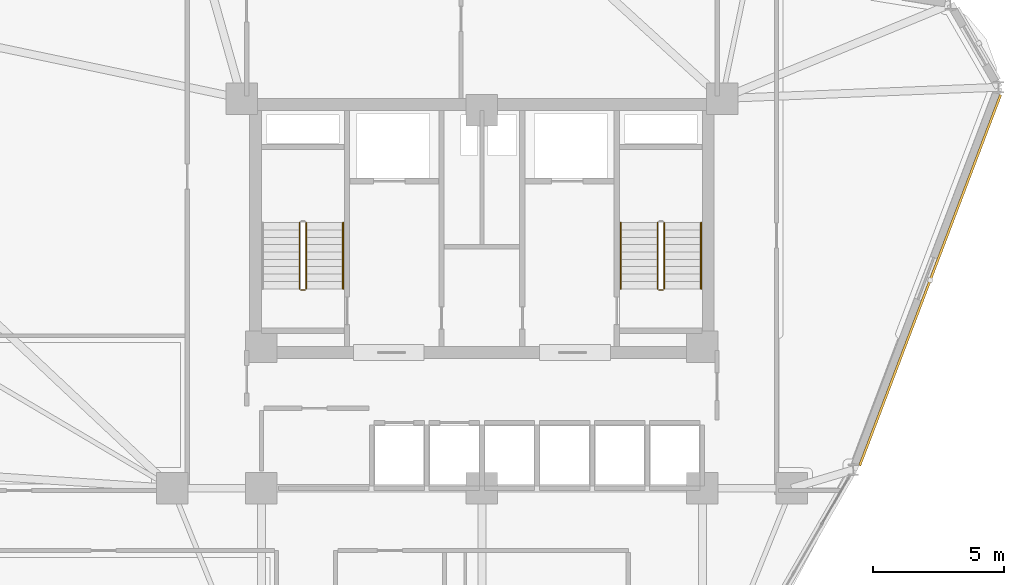
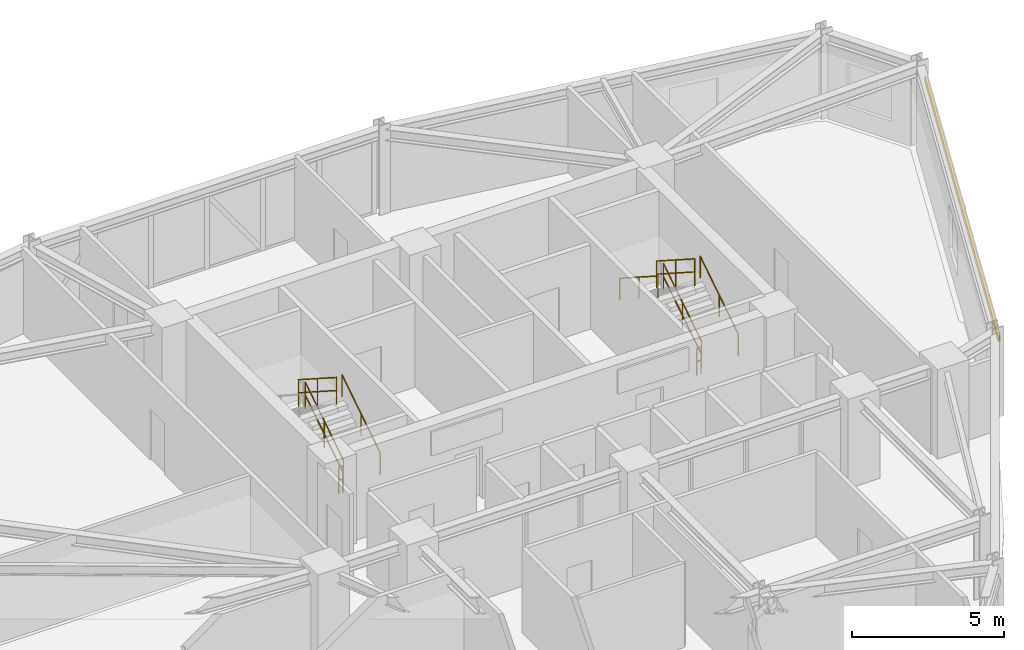
# One storey, part 16 of 18: 9 railings, 1 shading device.
"""IFC4 building model written with IfcOpenShell, lengths in metres."""

from ifc_helpers import new_model, si_unit, derived_unit, direction, frame, origin, origin_2d, place, context, subcontext, project, spatial, hollow_rectangle, circle, extrude, source, transform, mapped, material, material_profile, profile_set, type_object, element, save


model = new_model("IFC4")

# Units and contexts
model_context = context("Model", 3, precision=1e-05, world=origin(), true_north=direction((0.0, 1.0)))
body_context = subcontext(model_context, "Body", "Model", "MODEL_VIEW")
ifc_project = project(units=[si_unit("LENGTHUNIT", "METRE"), si_unit("AREAUNIT", "SQUARE_METRE"), si_unit("VOLUMEUNIT", "CUBIC_METRE"), si_unit("PLANEANGLEUNIT", "RADIAN"), si_unit("MASSUNIT", "GRAM", prefix="KILO"), derived_unit("THERMALTRANSMITTANCEUNIT", [(si_unit("POWERUNIT", "WATT"), 1), (si_unit("LENGTHUNIT", "METRE"), -2), (si_unit("THERMODYNAMICTEMPERATUREUNIT", "KELVIN"), -1)])], contexts=[model_context])

# Site, building, storey
site_placement = place(None, origin())
site = spatial("IfcSite", under=ifc_project, at=site_placement, CompositionType="ELEMENT")
building_placement = place(site_placement, origin())
building = spatial("IfcBuilding", under=site, at=building_placement, Name="Korsvarv Bourse and Concert Hall", CompositionType="ELEMENT")
storey_placement = place(building_placement, frame((0.0, 0.0, 139.800048828125)))
storey = spatial("IfcBuildingStorey", under=building, at=storey_placement, Name="L35", CompositionType="ELEMENT", Elevation=139.800048828125)

# Railings
ifc_material_1 = material(Name="Painted Steel S355 stair well guardrail", Category="steel")
railing_type_1 = type_object("IfcRailingType", Name="RL-ST-GRD", PredefinedType="GUARDRAIL", material=ifc_material_1)
railing_1_placement = place(storey_placement, frame((29.31005859375, 40.0, 0.179931640625)))
element("IfcRailing", 1, at=railing_1_placement, inside=storey, type_object=railing_type_1, Name="L35 ST-T1 stair guard 1", PredefinedType="GUARDRAIL", context=body_context, shape_type="SweptSolid", body=[
    extrude(circle(Radius=0.02392578125, at=origin_2d()), frame((0.0, 0.0, 1.076171875), z_axis=(0.0, 0.841162588446, 0.540782303519), x_axis=(-1.0, 0.0, 0.0)), (0.0, 0.0, 1.0), 2.995849609375),
    extrude(circle(Radius=0.02392578125, at=origin_2d()), frame((0.0, 0.0, 0.550048828125), z_axis=(0.0, 0.841162588446, 0.540782303519), x_axis=(-1.0, 0.0, 0.0)), (0.0, 0.0, 1.0), 2.995849609375),
    extrude(circle(Radius=0.02099609375, at=origin_2d()), origin(), (0.0, 0.0, 1.0), 1.052001953125),
    extrude(circle(Radius=0.02099609375, at=origin_2d()), frame((0.0, 1.260009765625, 0.81005859375)), (0.0, 0.0, 1.0), 1.052001953125),
    extrude(circle(Radius=0.02099609375, at=origin_2d()), frame((0.0, 2.52001953125, 1.6201171875)), (0.0, 0.0, 1.0), 1.052001953125),
])
railing_2_placement = place(storey_placement, frame((29.050048828125, 42.52001953125, 1.97998046875)))
element("IfcRailing", 2, at=railing_2_placement, inside=storey, type_object=railing_type_1, Name="L35 ST-T1 stair guard 3", PredefinedType="GUARDRAIL", context=body_context, shape_type="SweptSolid", body=[
    extrude(circle(Radius=0.02392578125, at=origin_2d()), frame((0.0, 0.0, 1.076171875), z_axis=(0.0, -0.841199657755, 0.540724639528), x_axis=(1.0, 0.0, 0.0)), (0.0, 0.0, 1.0), 2.995849609375),
    extrude(circle(Radius=0.02392578125, at=origin_2d()), frame((0.0, 0.0, 0.550048828125), z_axis=(0.0, -0.841199657755, 0.540724639528), x_axis=(1.0, 0.0, 0.0)), (0.0, 0.0, 1.0), 2.995849609375),
    extrude(circle(Radius=0.02099609375, at=origin_2d()), origin(), (0.0, 0.0, 1.0), 1.052001953125),
    extrude(circle(Radius=0.02099609375, at=origin_2d()), frame((0.0, -1.260009765625, 0.81005859375)), (0.0, 0.0, 1.0), 1.052001953125),
    extrude(circle(Radius=0.02099609375, at=origin_2d()), frame((0.0, -2.52001953125, 1.619873046875)), (0.0, 0.0, 1.0), 1.052001953125),
])
railing_3_placement = place(storey_placement, frame((29.260009765625, 39.949951171875, 0.0)))
element("IfcRailing", 3, at=railing_3_placement, inside=storey, type_object=railing_type_1, Name="L35 ST-T1 stair guard 4", PredefinedType="GUARDRAIL", context=body_context, shape_type="SweptSolid", body=[
    extrude(circle(Radius=0.02392578125, at=origin_2d()), frame((0.0, 0.0, 1.076171875), z_axis=(-1.0, 0.0, 0.0), x_axis=(0.0, -1.0, 0.0)), (0.0, 0.0, 1.0), 0.159912109375),
    extrude(circle(Radius=0.02392578125, at=origin_2d()), frame((0.0, 0.0, 0.550048828125), z_axis=(-1.0, 0.0, 0.0), x_axis=(0.0, -1.0, 0.0)), (0.0, 0.0, 1.0), 0.159912109375),
    extrude(circle(Radius=0.02099609375, at=origin_2d()), origin(), (0.0, 0.0, 1.0), 1.052001953125),
    extrude(circle(Radius=0.02099609375, at=origin_2d()), frame((-0.159912109375, 0.0, 0.0)), (0.0, 0.0, 1.0), 1.052001953125),
])
railing_4_placement = place(storey_placement, frame((42.949951171875, 40.0, 0.179931640625)))
element("IfcRailing", 4, at=railing_4_placement, inside=storey, type_object=railing_type_1, Name="L35 ST-T2 stair guard 1", PredefinedType="GUARDRAIL", context=body_context, shape_type="SweptSolid", body=[
    extrude(circle(Radius=0.02392578125, at=origin_2d()), frame((0.0, 0.0, 1.076171875), z_axis=(0.0, 0.841162588446, 0.540782303519), x_axis=(-1.0, 0.0, 0.0)), (0.0, 0.0, 1.0), 2.995849609375),
    extrude(circle(Radius=0.02392578125, at=origin_2d()), frame((0.0, 0.0, 0.550048828125), z_axis=(0.0, 0.841162588446, 0.540782303519), x_axis=(-1.0, 0.0, 0.0)), (0.0, 0.0, 1.0), 2.995849609375),
    extrude(circle(Radius=0.02099609375, at=origin_2d()), origin(), (0.0, 0.0, 1.0), 1.052001953125),
    extrude(circle(Radius=0.02099609375, at=origin_2d()), frame((0.0, 1.260009765625, 0.81005859375)), (0.0, 0.0, 1.0), 1.052001953125),
    extrude(circle(Radius=0.02099609375, at=origin_2d()), frame((0.0, 2.52001953125, 1.6201171875)), (0.0, 0.0, 1.0), 1.052001953125),
])
railing_5_placement = place(storey_placement, frame((42.68994140625, 42.52001953125, 1.97998046875)))
element("IfcRailing", 5, at=railing_5_placement, inside=storey, type_object=railing_type_1, Name="L35 ST-T2 stair guard 3", PredefinedType="GUARDRAIL", context=body_context, shape_type="SweptSolid", body=[
    extrude(circle(Radius=0.02392578125, at=origin_2d()), frame((0.0, 0.0, 1.076171875), z_axis=(0.0, -0.841199657755, 0.540724639528), x_axis=(1.0, 0.0, 0.0)), (0.0, 0.0, 1.0), 2.995849609375),
    extrude(circle(Radius=0.02392578125, at=origin_2d()), frame((0.0, 0.0, 0.550048828125), z_axis=(0.0, -0.841199657755, 0.540724639528), x_axis=(1.0, 0.0, 0.0)), (0.0, 0.0, 1.0), 2.995849609375),
    extrude(circle(Radius=0.02099609375, at=origin_2d()), origin(), (0.0, 0.0, 1.0), 1.052001953125),
    extrude(circle(Radius=0.02099609375, at=origin_2d()), frame((0.0, -1.260009765625, 0.81005859375)), (0.0, 0.0, 1.0), 1.052001953125),
    extrude(circle(Radius=0.02099609375, at=origin_2d()), frame((0.0, -2.52001953125, 1.619873046875)), (0.0, 0.0, 1.0), 1.052001953125),
])
railing_6_placement = place(storey_placement, frame((42.89990234375, 39.949951171875, 0.0)))
element("IfcRailing", 6, at=railing_6_placement, inside=storey, type_object=railing_type_1, Name="L35 ST-T2 stair guard 4", PredefinedType="GUARDRAIL", context=body_context, shape_type="SweptSolid", body=[
    extrude(circle(Radius=0.02392578125, at=origin_2d()), frame((0.0, 0.0, 1.076171875), z_axis=(-1.0, 0.0, 0.0), x_axis=(0.0, -1.0, 0.0)), (0.0, 0.0, 1.0), 0.159912109375),
    extrude(circle(Radius=0.02392578125, at=origin_2d()), frame((0.0, 0.0, 0.550048828125), z_axis=(-1.0, 0.0, 0.0), x_axis=(0.0, -1.0, 0.0)), (0.0, 0.0, 1.0), 0.159912109375),
    extrude(circle(Radius=0.02099609375, at=origin_2d()), origin(), (0.0, 0.0, 1.0), 1.052001953125),
    extrude(circle(Radius=0.02099609375, at=origin_2d()), frame((-0.159912109375, 0.0, 0.0)), (0.0, 0.0, 1.0), 1.052001953125),
])
ifc_material_2 = material(Name="Brushed stainless Steel S355 tubular handrail", Category="steel")
railing_type_2 = type_object("IfcRailingType", Name="RL-ST-HND", PredefinedType="HANDRAIL", material=ifc_material_2)
for number, where, name in (
    (7, (30.7099609375, 40.0, 0.179931640625), "L35 ST-T1 stair handrail 1"),
    (8, (44.35009765625, 40.0, 0.179931640625), "L35 ST-T2 stair handrail 1"),
):
    element("IfcRailing", number, at=place(storey_placement, frame(where)), inside=storey, type_object=railing_type_2, Name=name, PredefinedType="HANDRAIL", context=body_context, shape_type="SweptSolid", body=[
        extrude(circle(Radius=0.02392578125, at=origin_2d()), frame((0.0, 0.0, 0.8759765625), z_axis=(0.0, 0.841162588446, 0.540782303519), x_axis=(-1.0, 0.0, 0.0)), (0.0, 0.0, 1.0), 2.995849609375),
        extrude(circle(Radius=0.02099609375, at=origin_2d()), origin(), (0.0, 0.0, 1.0), 0.851806640625),
        extrude(circle(Radius=0.02099609375, at=origin_2d()), frame((0.0, 1.260009765625, 0.81005859375)), (0.0, 0.0, 1.0), 0.851806640625),
        extrude(circle(Radius=0.02099609375, at=origin_2d()), frame((0.0, 2.52001953125, 1.6201171875)), (0.0, 0.0, 1.0), 0.851806640625),
    ])
railing_7_placement = place(storey_placement, frame((41.2900390625, 42.52001953125, 1.97998046875)))
element("IfcRailing", 9, at=railing_7_placement, inside=storey, type_object=railing_type_2, Name="L35 ST-T2 stair handrail 2", PredefinedType="HANDRAIL", context=body_context, shape_type="SweptSolid", body=[
    extrude(circle(Radius=0.02392578125, at=origin_2d()), frame((0.0, 0.0, 0.8759765625), z_axis=(0.0, -0.841199657755, 0.540724639528), x_axis=(1.0, 0.0, 0.0)), (0.0, 0.0, 1.0), 2.995849609375),
    extrude(circle(Radius=0.02099609375, at=origin_2d()), origin(), (0.0, 0.0, 1.0), 0.851806640625),
    extrude(circle(Radius=0.02099609375, at=origin_2d()), frame((0.0, -1.260009765625, 0.81005859375)), (0.0, 0.0, 1.0), 0.851806640625),
    extrude(circle(Radius=0.02099609375, at=origin_2d()), frame((0.0, -2.52001953125, 1.619873046875)), (0.0, 0.0, 1.0), 0.851806640625),
])

# Shading device
ifc_material_3 = material(Name="Glazed extruded architectural terracotta", Category="ceramic")
ifc_material_profile = material_profile(ifc_material_3, hollow_rectangle(XDim=0.090087890625, YDim=0.260009765625, WallThickness=0.011962890625, at=origin_2d()), Name="TC-BAG 90x260")
ifc_profile_set = profile_set([ifc_material_profile], Name="Glazed extruded architectural terracotta")
shading_device_type = type_object("IfcShadingDeviceType", Name="SHD-BAG-1", PredefinedType="USERDEFINED", material=ifc_profile_set)
shared_shape = source(origin(), body_context, "Body", "SweptSolid", [
    extrude(hollow_rectangle(XDim=0.090087890625, YDim=0.260009765625, WallThickness=0.011962890625, at=origin_2d()), origin(), (0.0, 0.0, 1.0), 15.116943359375),
])
shading_device_placement = place(storey_placement, frame((50.394287109375, 33.2626953125, 2.83984375), z_axis=(0.355288039197, 0.934756871707, 0.0), x_axis=(-0.934756871707, 0.355288039197, 0.0)))
element("IfcShadingDevice", 10, at=shading_device_placement, inside=storey, type_object=shading_device_type, Name="L35 terracotta baguette sunshade EW-L35-B12", ObjectType="BAGUETTE", PredefinedType="USERDEFINED", context=body_context, shape_type="MappedRepresentation", body=[
    mapped(shared_shape, transform((0.0, 0.0, 0.0), scale=1.0)),
])

save(model, "model.ifc")
